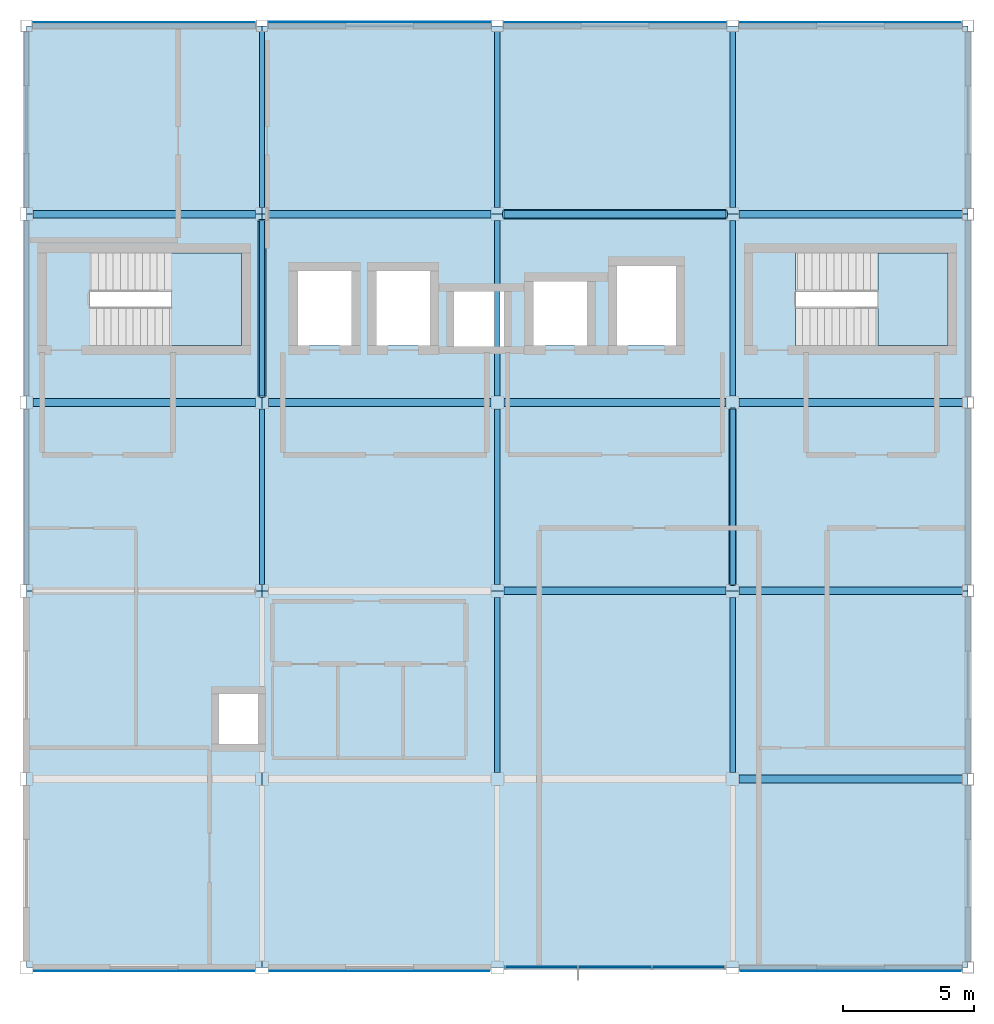
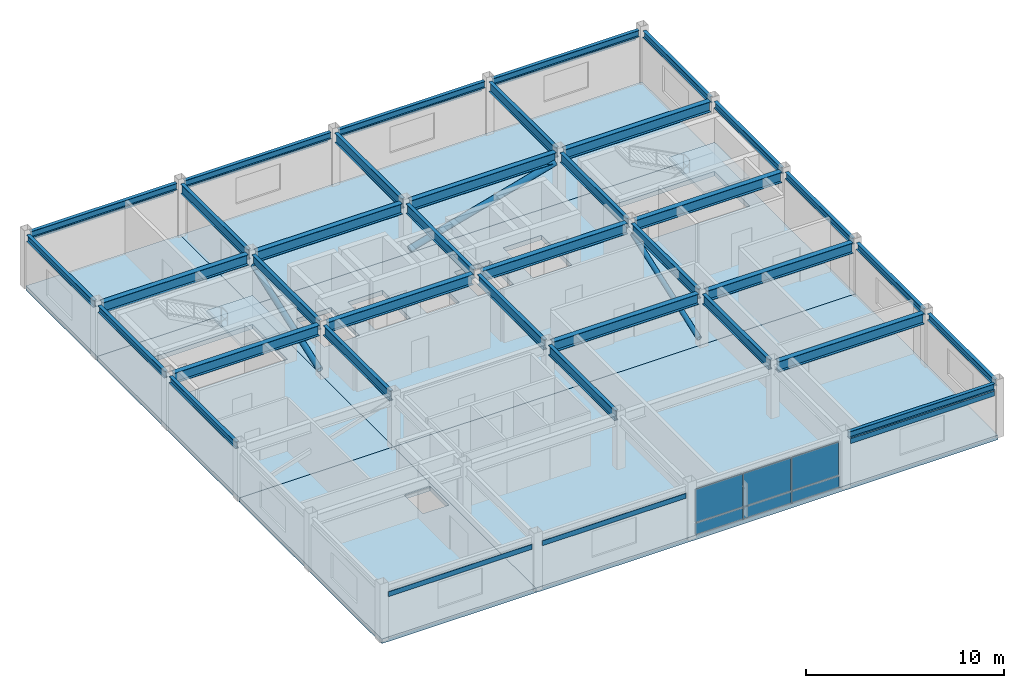
# One storey, part 3 of 7: 35 beams, 13 plates, 8 slabs, 3 members, 3 elements without a shape of their own.
"""IFC4 building model written with IfcOpenShell, lengths in metres."""

from ifc_helpers import new_model, si_unit, direction, frame, origin, origin_2d, place, context, subcontext, project, spatial, polyline, rectangle, hollow_circle, i_section, outline, extrude, material, layer, layer_set, material_profile, profile_set, type_object, element, aggregate, save


model = new_model("IFC4")

# Units and contexts
model_context = context("Model", 3, precision=1e-05, world=origin(), true_north=direction((0.0, 1.0)))
body_context = subcontext(model_context, "Body", "Model", "MODEL_VIEW")
ifc_project = project(units=[si_unit("LENGTHUNIT", "METRE"), si_unit("AREAUNIT", "SQUARE_METRE"), si_unit("VOLUMEUNIT", "CUBIC_METRE"), si_unit("PLANEANGLEUNIT", "RADIAN"), si_unit("MASSUNIT", "GRAM", prefix="KILO")], contexts=[model_context])

# Site, building, storey
site_placement = place(None, origin())
site = spatial("IfcSite", under=ifc_project, at=site_placement, CompositionType="ELEMENT")
building_placement = place(site_placement, origin())
building = spatial("IfcBuilding", under=site, at=building_placement, Name="Kazanami Central Library", CompositionType="ELEMENT")
storey_placement = place(building_placement, frame((0.0, 0.0, 27.800048828125)))
storey = spatial("IfcBuildingStorey", under=building, at=storey_placement, Name="L08", CompositionType="ELEMENT", Elevation=27.800048828125)

# Beams
ifc_material_1 = material(Name="Steel SN490B (325 MPa)", Category="steel")
ifc_material_profile_1 = material_profile(ifc_material_1, i_section(OverallWidth=0.300048828125, OverallDepth=0.64990234375, WebThickness=0.012939453125, FlangeThickness=0.02099609375, at=origin_2d()), Name="H-650x300x13x21")
ifc_profile_set_1 = profile_set([ifc_material_profile_1], Name="Steel SN490B (325 MPa)")
beam_type_1 = type_object("IfcBeamType", Name="BM-G-TR", PredefinedType="BEAM", material=ifc_profile_set_1)
beam_1_placement = place(storey_placement, frame((153.248046875, 64.800048828125, 2.989990234375), z_axis=(1.0, 0.0, 0.0), x_axis=(0.0, 1.0, 0.0)))
element("IfcBeam", 1, at=beam_1_placement, inside=storey, type_object=beam_type_1, Name="Girder G-TR L08 K/18-19", PredefinedType="BEAM", context=body_context, shape_type="SweptSolid", body=[
    extrude(i_section(OverallWidth=0.300048828125, OverallDepth=0.64990234375, WebThickness=0.012939453125, FlangeThickness=0.02099609375, at=origin_2d()), origin(), (0.0, 0.0, 1.0), 8.529052734375),
])
beam_2_placement = place(storey_placement, frame((144.248046875, 72.0, 2.989990234375), z_axis=(1.0, 0.0, 0.0), x_axis=(0.0, 1.0, 0.0)))
element("IfcBeam", 2, at=beam_2_placement, inside=storey, type_object=beam_type_1, Name="Girder G-TR L08 L/17-18", PredefinedType="BEAM", context=body_context, shape_type="SweptSolid", body=[
    extrude(i_section(OverallWidth=0.300048828125, OverallDepth=0.64990234375, WebThickness=0.012939453125, FlangeThickness=0.02099609375, at=origin_2d()), origin(), (0.0, 0.0, 1.0), 8.50390625),
])
beam_3_placement = place(storey_placement, frame((153.248046875, 72.0, 2.989990234375), z_axis=(1.0, 0.0, 0.0), x_axis=(0.0, 1.0, 0.0)))
element("IfcBeam", 3, at=beam_3_placement, inside=storey, type_object=beam_type_1, Name="Girder G-TR L08 L/18-19", PredefinedType="BEAM", context=body_context, shape_type="SweptSolid", body=[
    extrude(i_section(OverallWidth=0.300048828125, OverallDepth=0.64990234375, WebThickness=0.012939453125, FlangeThickness=0.02099609375, at=origin_2d()), origin(), (0.0, 0.0, 1.0), 8.529052734375),
])
for number, where, z_axis, x_axis, name in (
    (4, (126.248046875, 79.199951171875, 2.989990234375), (1.0, 0.0, 0.0), (0.0, 1.0, 0.0), "Girder G-TR L08 M/15-16"),
    (5, (135.248046875, 79.199951171875, 2.989990234375), (1.0, 0.0, 0.0), (0.0, 1.0, 0.0), "Girder G-TR L08 M/16-17"),
    (6, (144.248046875, 79.199951171875, 2.989990234375), (1.0, 0.0, 0.0), (0.0, 1.0, 0.0), "Girder G-TR L08 M/17-18"),
):
    element("IfcBeam", number, at=place(storey_placement, frame(where, z_axis=z_axis, x_axis=x_axis)), inside=storey, type_object=beam_type_1, Name=name, PredefinedType="BEAM", context=body_context, shape_type="SweptSolid", body=[
        extrude(i_section(OverallWidth=0.300048828125, OverallDepth=0.64990234375, WebThickness=0.012939453125, FlangeThickness=0.02099609375, at=origin_2d()), origin(), (0.0, 0.0, 1.0), 8.50390625),
    ])
beam_4_placement = place(storey_placement, frame((153.248046875, 79.199951171875, 2.989990234375), z_axis=(1.0, 0.0, 0.0), x_axis=(0.0, 1.0, 0.0)))
element("IfcBeam", 7, at=beam_4_placement, inside=storey, type_object=beam_type_1, Name="Girder G-TR L08 M/18-19", PredefinedType="BEAM", context=body_context, shape_type="SweptSolid", body=[
    extrude(i_section(OverallWidth=0.300048828125, OverallDepth=0.64990234375, WebThickness=0.012939453125, FlangeThickness=0.02099609375, at=origin_2d()), origin(), (0.0, 0.0, 1.0), 8.529052734375),
])
for number, where, z_axis, x_axis, name in (
    (8, (126.248046875, 86.39990234375, 2.989990234375), (1.0, 0.0, 0.0), (0.0, 1.0, 0.0), "Girder G-TR L08 N/15-16"),
    (9, (135.248046875, 86.39990234375, 2.989990234375), (1.0, 0.0, 0.0), (0.0, 1.0, 0.0), "Girder G-TR L08 N/16-17"),
    (10, (144.248046875, 86.39990234375, 2.989990234375), (1.0, 0.0, 0.0), (0.0, 1.0, 0.0), "Girder G-TR L08 N/17-18"),
):
    element("IfcBeam", number, at=place(storey_placement, frame(where, z_axis=z_axis, x_axis=x_axis)), inside=storey, type_object=beam_type_1, Name=name, PredefinedType="BEAM", context=body_context, shape_type="SweptSolid", body=[
        extrude(i_section(OverallWidth=0.300048828125, OverallDepth=0.64990234375, WebThickness=0.012939453125, FlangeThickness=0.02099609375, at=origin_2d()), origin(), (0.0, 0.0, 1.0), 8.50390625),
    ])
beam_5_placement = place(storey_placement, frame((153.248046875, 86.39990234375, 2.989990234375), z_axis=(1.0, 0.0, 0.0), x_axis=(0.0, 1.0, 0.0)))
element("IfcBeam", 11, at=beam_5_placement, inside=storey, type_object=beam_type_1, Name="Girder G-TR L08 N/18-19", PredefinedType="BEAM", context=body_context, shape_type="SweptSolid", body=[
    extrude(i_section(OverallWidth=0.300048828125, OverallDepth=0.64990234375, WebThickness=0.012939453125, FlangeThickness=0.02099609375, at=origin_2d()), origin(), (0.0, 0.0, 1.0), 8.529052734375),
])
ifc_material_profile_2 = material_profile(ifc_material_1, i_section(OverallWidth=0.199951171875, OverallDepth=0.60009765625, WebThickness=0.010986328125, FlangeThickness=0.01708984375, at=origin_2d()), Name="H-600x200x11x17")
ifc_profile_set_2 = profile_set([ifc_material_profile_2], Name="Steel SN490B (325 MPa)")
beam_type_2 = type_object("IfcBeamType", Name="BM-G-Y1", PredefinedType="BEAM", material=ifc_profile_set_2)
beam_6_placement = place(storey_placement, frame((135.0, 72.248046875, 3.014892578125), z_axis=(0.0, 1.0, 0.0), x_axis=(-1.0, 0.0, 0.0)))
element("IfcBeam", 12, at=beam_6_placement, inside=storey, type_object=beam_type_2, Name="Girder G-Y1 L08 16/L-M", PredefinedType="BEAM", context=body_context, shape_type="SweptSolid", body=[
    extrude(i_section(OverallWidth=0.199951171875, OverallDepth=0.60009765625, WebThickness=0.010986328125, FlangeThickness=0.01708984375, at=origin_2d()), origin(), (0.0, 0.0, 1.0), 6.703857421875),
])
beam_7_placement = place(storey_placement, frame((135.0, 79.447998046875, 3.014892578125), z_axis=(0.0, 1.0, 0.0), x_axis=(-1.0, 0.0, 0.0)))
element("IfcBeam", 13, at=beam_7_placement, inside=storey, type_object=beam_type_2, Name="Girder G-Y1 L08 16/M-N", PredefinedType="BEAM", context=body_context, shape_type="SweptSolid", body=[
    extrude(i_section(OverallWidth=0.199951171875, OverallDepth=0.60009765625, WebThickness=0.010986328125, FlangeThickness=0.01708984375, at=origin_2d()), origin(), (0.0, 0.0, 1.0), 6.7041015625),
])
beam_8_placement = place(storey_placement, frame((135.0, 86.64794921875, 3.014892578125), z_axis=(0.0, 1.0, 0.0), x_axis=(-1.0, 0.0, 0.0)))
element("IfcBeam", 14, at=beam_8_placement, inside=storey, type_object=beam_type_2, Name="Girder G-Y1 L08 16/N-O", PredefinedType="BEAM", context=body_context, shape_type="SweptSolid", body=[
    extrude(i_section(OverallWidth=0.199951171875, OverallDepth=0.60009765625, WebThickness=0.010986328125, FlangeThickness=0.01708984375, at=origin_2d()), origin(), (0.0, 0.0, 1.0), 6.72900390625),
])
for number, where, z_axis, x_axis, name in (
    (15, (144.0, 65.048095703125, 3.014892578125), (0.0, 1.0, 0.0), (-1.0, 0.0, 0.0), "Girder G-Y1 L08 17/K-L"),
    (16, (144.0, 72.248046875, 3.014892578125), (0.0, 1.0, 0.0), (-1.0, 0.0, 0.0), "Girder G-Y1 L08 17/L-M"),
):
    element("IfcBeam", number, at=place(storey_placement, frame(where, z_axis=z_axis, x_axis=x_axis)), inside=storey, type_object=beam_type_2, Name=name, PredefinedType="BEAM", context=body_context, shape_type="SweptSolid", body=[
        extrude(i_section(OverallWidth=0.199951171875, OverallDepth=0.60009765625, WebThickness=0.010986328125, FlangeThickness=0.01708984375, at=origin_2d()), origin(), (0.0, 0.0, 1.0), 6.703857421875),
    ])
beam_9_placement = place(storey_placement, frame((144.0, 79.447998046875, 3.014892578125), z_axis=(0.0, 1.0, 0.0), x_axis=(-1.0, 0.0, 0.0)))
element("IfcBeam", 17, at=beam_9_placement, inside=storey, type_object=beam_type_2, Name="Girder G-Y1 L08 17/M-N", PredefinedType="BEAM", context=body_context, shape_type="SweptSolid", body=[
    extrude(i_section(OverallWidth=0.199951171875, OverallDepth=0.60009765625, WebThickness=0.010986328125, FlangeThickness=0.01708984375, at=origin_2d()), origin(), (0.0, 0.0, 1.0), 6.7041015625),
])
beam_10_placement = place(storey_placement, frame((144.0, 86.64794921875, 3.014892578125), z_axis=(0.0, 1.0, 0.0), x_axis=(-1.0, 0.0, 0.0)))
element("IfcBeam", 18, at=beam_10_placement, inside=storey, type_object=beam_type_2, Name="Girder G-Y1 L08 17/N-O", PredefinedType="BEAM", context=body_context, shape_type="SweptSolid", body=[
    extrude(i_section(OverallWidth=0.199951171875, OverallDepth=0.60009765625, WebThickness=0.010986328125, FlangeThickness=0.01708984375, at=origin_2d()), origin(), (0.0, 0.0, 1.0), 6.72900390625),
])
for number, where, z_axis, x_axis, name in (
    (19, (153.0, 65.048095703125, 3.014892578125), (0.0, 1.0, 0.0), (-1.0, 0.0, 0.0), "Girder G-Y1 L08 18/K-L"),
    (20, (153.0, 72.248046875, 3.014892578125), (0.0, 1.0, 0.0), (-1.0, 0.0, 0.0), "Girder G-Y1 L08 18/L-M"),
):
    element("IfcBeam", number, at=place(storey_placement, frame(where, z_axis=z_axis, x_axis=x_axis)), inside=storey, type_object=beam_type_2, Name=name, PredefinedType="BEAM", context=body_context, shape_type="SweptSolid", body=[
        extrude(i_section(OverallWidth=0.199951171875, OverallDepth=0.60009765625, WebThickness=0.010986328125, FlangeThickness=0.01708984375, at=origin_2d()), origin(), (0.0, 0.0, 1.0), 6.703857421875),
    ])
beam_11_placement = place(storey_placement, frame((153.0, 79.447998046875, 3.014892578125), z_axis=(0.0, 1.0, 0.0), x_axis=(-1.0, 0.0, 0.0)))
element("IfcBeam", 21, at=beam_11_placement, inside=storey, type_object=beam_type_2, Name="Girder G-Y1 L08 18/M-N", PredefinedType="BEAM", context=body_context, shape_type="SweptSolid", body=[
    extrude(i_section(OverallWidth=0.199951171875, OverallDepth=0.60009765625, WebThickness=0.010986328125, FlangeThickness=0.01708984375, at=origin_2d()), origin(), (0.0, 0.0, 1.0), 6.7041015625),
])
beam_12_placement = place(storey_placement, frame((153.0, 86.64794921875, 3.014892578125), z_axis=(0.0, 1.0, 0.0), x_axis=(-1.0, 0.0, 0.0)))
element("IfcBeam", 22, at=beam_12_placement, inside=storey, type_object=beam_type_2, Name="Girder G-Y1 L08 18/N-O", PredefinedType="BEAM", context=body_context, shape_type="SweptSolid", body=[
    extrude(i_section(OverallWidth=0.199951171875, OverallDepth=0.60009765625, WebThickness=0.010986328125, FlangeThickness=0.01708984375, at=origin_2d()), origin(), (0.0, 0.0, 1.0), 6.72900390625),
])
ifc_material_profile_3 = material_profile(ifc_material_1, i_section(OverallWidth=0.199951171875, OverallDepth=0.39990234375, WebThickness=0.008056640625, FlangeThickness=0.012939453125, at=origin_2d()), Name="H-400x200x8x13")
ifc_profile_set_3 = profile_set([ifc_material_profile_3], Name="Steel SN490B (325 MPa)")
beam_type_3 = type_object("IfcBeamType", Name="BM-SP-3", PredefinedType="SPANDREL", material=ifc_profile_set_3)
beam_13_placement = place(storey_placement, frame((153.248046875, 57.60009765625, 3.114990234375), z_axis=(1.0, 0.0, 0.0), x_axis=(0.0, 1.0, 0.0)))
element("IfcBeam", 23, at=beam_13_placement, inside=storey, type_object=beam_type_3, Name="Girder SP-3 L08 J/18-19", PredefinedType="SPANDREL", context=body_context, shape_type="SweptSolid", body=[
    extrude(i_section(OverallWidth=0.199951171875, OverallDepth=0.39990234375, WebThickness=0.008056640625, FlangeThickness=0.012939453125, at=origin_2d()), origin(), (0.0, 0.0, 1.0), 8.529052734375),
])
for number, where, z_axis, x_axis, name in (
    (24, (126.222900390625, 93.60009765625, 3.114990234375), (1.0, 0.0, 0.0), (0.0, 1.0, 0.0), "Girder SP-3 L08 O/15-16"),
    (25, (135.222900390625, 93.60009765625, 3.114990234375), (1.0, 0.0, 0.0), (0.0, 1.0, 0.0), "Girder SP-3 L08 O/16-17"),
    (26, (144.222900390625, 93.60009765625, 3.114990234375), (1.0, 0.0, 0.0), (0.0, 1.0, 0.0), "Girder SP-3 L08 O/17-18"),
    (27, (153.222900390625, 93.60009765625, 3.114990234375), (1.0, 0.0, 0.0), (0.0, 1.0, 0.0), "Girder SP-3 L08 O/18-19"),
):
    element("IfcBeam", number, at=place(storey_placement, frame(where, z_axis=z_axis, x_axis=x_axis)), inside=storey, type_object=beam_type_3, Name=name, PredefinedType="SPANDREL", context=body_context, shape_type="SweptSolid", body=[
        extrude(i_section(OverallWidth=0.199951171875, OverallDepth=0.39990234375, WebThickness=0.008056640625, FlangeThickness=0.012939453125, at=origin_2d()), origin(), (0.0, 0.0, 1.0), 8.55419921875),
    ])
beam_14_placement = place(storey_placement, frame((126.0, 72.248046875, 3.114990234375), z_axis=(0.0, 1.0, 0.0), x_axis=(-1.0, 0.0, 0.0)))
element("IfcBeam", 28, at=beam_14_placement, inside=storey, type_object=beam_type_3, Name="Girder SP-3 L08 15/L-M", PredefinedType="SPANDREL", context=body_context, shape_type="SweptSolid", body=[
    extrude(i_section(OverallWidth=0.199951171875, OverallDepth=0.39990234375, WebThickness=0.008056640625, FlangeThickness=0.012939453125, at=origin_2d()), origin(), (0.0, 0.0, 1.0), 6.703857421875),
])
beam_15_placement = place(storey_placement, frame((126.0, 79.447998046875, 3.114990234375), z_axis=(0.0, 1.0, 0.0), x_axis=(-1.0, 0.0, 0.0)))
element("IfcBeam", 29, at=beam_15_placement, inside=storey, type_object=beam_type_3, Name="Girder SP-3 L08 15/M-N", PredefinedType="SPANDREL", context=body_context, shape_type="SweptSolid", body=[
    extrude(i_section(OverallWidth=0.199951171875, OverallDepth=0.39990234375, WebThickness=0.008056640625, FlangeThickness=0.012939453125, at=origin_2d()), origin(), (0.0, 0.0, 1.0), 6.7041015625),
])
beam_16_placement = place(storey_placement, frame((126.0, 86.64794921875, 3.114990234375), z_axis=(0.0, 1.0, 0.0), x_axis=(-1.0, 0.0, 0.0)))
element("IfcBeam", 30, at=beam_16_placement, inside=storey, type_object=beam_type_3, Name="Girder SP-3 L08 15/N-O", PredefinedType="SPANDREL", context=body_context, shape_type="SweptSolid", body=[
    extrude(i_section(OverallWidth=0.199951171875, OverallDepth=0.39990234375, WebThickness=0.008056640625, FlangeThickness=0.012939453125, at=origin_2d()), origin(), (0.0, 0.0, 1.0), 6.72900390625),
])
beam_17_placement = place(storey_placement, frame((162.0, 57.822998046875, 3.114990234375), z_axis=(0.0, 1.0, 0.0), x_axis=(-1.0, 0.0, 0.0)))
element("IfcBeam", 31, at=beam_17_placement, inside=storey, type_object=beam_type_3, Name="Girder SP-3 L08 19/J-K", PredefinedType="SPANDREL", context=body_context, shape_type="SweptSolid", body=[
    extrude(i_section(OverallWidth=0.199951171875, OverallDepth=0.39990234375, WebThickness=0.008056640625, FlangeThickness=0.012939453125, at=origin_2d()), origin(), (0.0, 0.0, 1.0), 6.75390625),
])
for number, where, z_axis, x_axis, name in (
    (32, (162.0, 65.02294921875, 3.114990234375), (0.0, 1.0, 0.0), (-1.0, 0.0, 0.0), "Girder SP-3 L08 19/K-L"),
    (33, (162.0, 72.222900390625, 3.114990234375), (0.0, 1.0, 0.0), (-1.0, 0.0, 0.0), "Girder SP-3 L08 19/L-M"),
):
    element("IfcBeam", number, at=place(storey_placement, frame(where, z_axis=z_axis, x_axis=x_axis)), inside=storey, type_object=beam_type_3, Name=name, PredefinedType="SPANDREL", context=body_context, shape_type="SweptSolid", body=[
        extrude(i_section(OverallWidth=0.199951171875, OverallDepth=0.39990234375, WebThickness=0.008056640625, FlangeThickness=0.012939453125, at=origin_2d()), origin(), (0.0, 0.0, 1.0), 6.754150390625),
    ])
for number, where, z_axis, x_axis, name in (
    (34, (162.0, 79.423095703125, 3.114990234375), (0.0, 1.0, 0.0), (-1.0, 0.0, 0.0), "Girder SP-3 L08 19/M-N"),
    (35, (162.0, 86.623046875, 3.114990234375), (0.0, 1.0, 0.0), (-1.0, 0.0, 0.0), "Girder SP-3 L08 19/N-O"),
):
    element("IfcBeam", number, at=place(storey_placement, frame(where, z_axis=z_axis, x_axis=x_axis)), inside=storey, type_object=beam_type_3, Name=name, PredefinedType="SPANDREL", context=body_context, shape_type="SweptSolid", body=[
        extrude(i_section(OverallWidth=0.199951171875, OverallDepth=0.39990234375, WebThickness=0.008056640625, FlangeThickness=0.012939453125, at=origin_2d()), origin(), (0.0, 0.0, 1.0), 6.75390625),
    ])

# Members
ifc_material_2 = material(Name="Steel STK490 (315 MPa)", Category="steel")
ifc_material_profile_4 = material_profile(ifc_material_2, hollow_circle(Radius=0.177734375, WallThickness=0.0126953125, at=origin_2d()), Name="CHS-355.6x12.7")
ifc_profile_set_4 = profile_set([ifc_material_profile_4], Name="Steel STK490 (315 MPa)")
member_type_1 = type_object("IfcMemberType", Name="MEM-BR-01", PredefinedType="BRACE", material=ifc_profile_set_4)
member_1_placement = place(storey_placement, frame((144.25, 86.39990234375, 0.25), z_axis=(0.962816536105, 0.0, 0.270156098955), x_axis=(0.0, 1.0, 0.0)))
element("IfcMember", 36, at=member_1_placement, inside=storey, type_object=member_type_1, Name="Concentric Steel Brace BR-01 L08 BF-V2B", PredefinedType="BRACE", context=body_context, shape_type="SweptSolid", body=[
    extrude(hollow_circle(Radius=0.177734375, WallThickness=0.0126953125, at=origin_2d()), origin(), (0.0, 0.0, 1.0), 8.828369140625),
])
ifc_material_profile_5 = material_profile(ifc_material_2, hollow_circle(Radius=0.1591796875, WallThickness=0.01025390625, at=origin_2d()), Name="CHS-318.5x10.3")
ifc_profile_set_5 = profile_set([ifc_material_profile_5], Name="Steel STK490 (315 MPa)")
member_type_2 = type_object("IfcMemberType", Name="MEM-BR-02", PredefinedType="BRACE", material=ifc_profile_set_5)
member_2_placement = place(storey_placement, frame((135.0, 79.449951171875, 0.25), z_axis=(0.0, 0.942090131884, 0.335359782035), x_axis=(-1.0, 0.0, 0.0)))
element("IfcMember", 37, at=member_2_placement, inside=storey, type_object=member_type_2, Name="Concentric Steel Brace BR-02 L08 BF-V2C", PredefinedType="BRACE", context=body_context, shape_type="SweptSolid", body=[
    extrude(hollow_circle(Radius=0.1591796875, WallThickness=0.01025390625, at=origin_2d()), origin(), (0.0, 0.0, 1.0), 7.11181640625),
])
ifc_material_profile_6 = material_profile(ifc_material_2, hollow_circle(Radius=0.1337890625, WallThickness=0.00927734375, at=origin_2d()), Name="CHS-267.4x9.3")
ifc_profile_set_6 = profile_set([ifc_material_profile_6], Name="Steel STK490 (315 MPa)")
member_type_3 = type_object("IfcMemberType", Name="MEM-BR-03", PredefinedType="BRACE", material=ifc_profile_set_6)
member_3_placement = place(storey_placement, frame((153.0, 72.25, 0.25), z_axis=(0.0, 0.942090131884, 0.335359782035), x_axis=(-1.0, 0.0, 0.0)))
element("IfcMember", 38, at=member_3_placement, inside=storey, type_object=member_type_3, Name="Concentric Steel Brace BR-03 L08 BF-V2D", PredefinedType="BRACE", context=body_context, shape_type="SweptSolid", body=[
    extrude(hollow_circle(Radius=0.1337890625, WallThickness=0.00927734375, at=origin_2d()), origin(), (0.0, 0.0, 1.0), 7.11181640625),
])

# Curtain wall, plates
ifc_material_3 = material(Name="Acid-Etched Low-E Laminated Glass", Category="glass")
curtain_wall_type = type_object("IfcCurtainWallType", Name="CW-8500x2915-M275", PredefinedType="USERDEFINED", material=ifc_material_3)
curtain_wall_placement = place(storey_placement, origin())
curtain_wall = element("IfcCurtainWall", 39, at=curtain_wall_placement, inside=storey, type_object=curtain_wall_type, Name="Unitised Curtain Wall CW-61 L08 S-J-16", ObjectType="UNITISED CURTAIN WALL", PredefinedType="USERDEFINED")
ifc_layer_1 = layer(ifc_material_3, 0.035888671875, Name="Acid-Etched Low-E Laminated Glass")
ifc_layer_set_1 = layer_set([ifc_layer_1], Name="Acid-Etched Low-E Laminated Glass")
plate_type_1 = type_object("IfcPlateType", Name="PLT-CW-P1", PredefinedType="CURTAIN_PANEL", material=ifc_layer_set_1)
plate_1_placement = place(storey_placement, frame((145.682861328125, 57.60009765625, 0.8125), z_axis=(0.0, 0.0, 1.0), x_axis=(1.0, 0.0, 0.0)))
plate_1 = element("IfcPlate", 40, at=plate_1_placement, type_object=plate_type_1, Name="CW-61 panel 1.2", PredefinedType="CURTAIN_PANEL", context=body_context, shape_type="SweptSolid", body=[
    extrude(rectangle(XDim=2.73583984375, YDim=0.035888671875, at=origin_2d()), origin(), (0.0, 0.0, 1.0), 2.03759765625),
])
plate_2_placement = place(storey_placement, frame((148.5, 57.60009765625, 0.8125), z_axis=(0.0, 0.0, 1.0), x_axis=(1.0, 0.0, 0.0)))
plate_2 = element("IfcPlate", 41, at=plate_2_placement, type_object=plate_type_1, Name="CW-61 panel 2.2", PredefinedType="CURTAIN_PANEL", context=body_context, shape_type="SweptSolid", body=[
    extrude(rectangle(XDim=2.768310546875, YDim=0.035888671875, at=origin_2d()), origin(), (0.0, 0.0, 1.0), 2.03759765625),
])
plate_3_placement = place(storey_placement, frame((151.317138671875, 57.60009765625, 0.8125), z_axis=(0.0, 0.0, 1.0), x_axis=(1.0, 0.0, 0.0)))
plate_3 = element("IfcPlate", 42, at=plate_3_placement, type_object=plate_type_1, Name="CW-61 panel 3.2", PredefinedType="CURTAIN_PANEL", context=body_context, shape_type="SweptSolid", body=[
    extrude(rectangle(XDim=2.73583984375, YDim=0.035888671875, at=origin_2d()), origin(), (0.0, 0.0, 1.0), 2.03759765625),
])
ifc_material_4 = material(Name="Anodised Aluminium A5052-H32", Category="aluminium")
ifc_layer_2 = layer(ifc_material_4, 0.052001953125, Name="Anodised Aluminium A5052-H32")
ifc_layer_set_2 = layer_set([ifc_layer_2], Name="Anodised Aluminium A5052-H32")
plate_type_2 = type_object("IfcPlateType", Name="PLT-CW-SP2", PredefinedType="CURTAIN_PANEL", material=ifc_layer_set_2)
plate_4_placement = place(storey_placement, frame((145.682861328125, 57.60009765625, 0.06494140625), z_axis=(0.0, 0.0, 1.0), x_axis=(1.0, 0.0, 0.0)))
plate_4 = element("IfcPlate", 43, at=plate_4_placement, type_object=plate_type_2, Name="CW-61 panel 1.1", PredefinedType="CURTAIN_PANEL", context=body_context, shape_type="SweptSolid", body=[
    extrude(rectangle(XDim=2.73583984375, YDim=0.052001953125, at=origin_2d()), origin(), (0.0, 0.0, 1.0), 0.6826171875),
])
plate_5_placement = place(storey_placement, frame((148.5, 57.60009765625, 0.06494140625), z_axis=(0.0, 0.0, 1.0), x_axis=(1.0, 0.0, 0.0)))
plate_5 = element("IfcPlate", 44, at=plate_5_placement, type_object=plate_type_2, Name="CW-61 panel 2.1", PredefinedType="CURTAIN_PANEL", context=body_context, shape_type="SweptSolid", body=[
    extrude(rectangle(XDim=2.768310546875, YDim=0.052001953125, at=origin_2d()), origin(), (0.0, 0.0, 1.0), 0.6826171875),
])
plate_6_placement = place(storey_placement, frame((151.317138671875, 57.60009765625, 0.06494140625), z_axis=(0.0, 0.0, 1.0), x_axis=(1.0, 0.0, 0.0)))
plate_6 = element("IfcPlate", 45, at=plate_6_placement, type_object=plate_type_2, Name="CW-61 panel 3.1", PredefinedType="CURTAIN_PANEL", context=body_context, shape_type="SweptSolid", body=[
    extrude(rectangle(XDim=2.73583984375, YDim=0.052001953125, at=origin_2d()), origin(), (0.0, 0.0, 1.0), 0.6826171875),
])
aggregate(curtain_wall, [plate_4, plate_1, plate_5, plate_2, plate_6, plate_3])

# Plates
ifc_layer_3 = layer(ifc_material_4, 0.010009765625, Name="Anodised Aluminium A5052-H32")
ifc_layer_set_3 = layer_set([ifc_layer_3], Name="Anodised Aluminium A5052-H32")
plate_type_3 = type_object("IfcPlateType", Name="PLT-SPN-10", PredefinedType="SHEET", material=ifc_layer_set_3)
plate_7_placement = place(storey_placement, frame((148.5, 93.735107421875, 2.60498046875), z_axis=(0.0, 0.0, 1.0), x_axis=(-1.0, 0.0, 0.0)))
element("IfcPlate", 46, at=plate_7_placement, inside=storey, type_object=plate_type_3, Name="Architectural Spandrel Sheet SPN-10 L08 N-O-16", PredefinedType="SHEET", context=body_context, shape_type="SweptSolid", body=[
    extrude(rectangle(XDim=8.449951171875, YDim=0.010009765625, at=origin_2d()), origin(), (0.0, 0.0, 1.0), 0.300048828125),
])
ifc_layer_4 = layer(ifc_material_4, 0.011962890625, Name="Anodised Aluminium A5052-H32")
ifc_layer_set_4 = layer_set([ifc_layer_4], Name="Anodised Aluminium A5052-H32")
plate_type_4 = type_object("IfcPlateType", Name="PLT-SPN-12", PredefinedType="SHEET", material=ifc_layer_set_4)
plate_8_placement = place(storey_placement, frame((157.512451171875, 57.464111328125, 2.60498046875), z_axis=(0.0, 0.0, 1.0), x_axis=(1.0, 0.0, 0.0)))
element("IfcPlate", 47, at=plate_8_placement, inside=storey, type_object=plate_type_4, Name="Architectural Spandrel Sheet SPN-12 L08 S-J-17", PredefinedType="SHEET", context=body_context, shape_type="SweptSolid", body=[
    extrude(rectangle(XDim=8.425048828125, YDim=0.011962890625, at=origin_2d()), origin(), (0.0, 0.0, 1.0), 0.300048828125),
])
plate_9_placement = place(storey_placement, frame((157.5, 93.736083984375, 2.60498046875), z_axis=(0.0, 0.0, 1.0), x_axis=(-1.0, 0.0, 0.0)))
element("IfcPlate", 48, at=plate_9_placement, inside=storey, type_object=plate_type_4, Name="Architectural Spandrel Sheet SPN-12 L08 N-O-17", PredefinedType="SHEET", context=body_context, shape_type="SweptSolid", body=[
    extrude(rectangle(XDim=8.449951171875, YDim=0.011962890625, at=origin_2d()), origin(), (0.0, 0.0, 1.0), 0.300048828125),
])
ifc_layer_5 = layer(ifc_material_4, 0.01806640625, Name="Anodised Aluminium A5052-H32")
ifc_layer_set_5 = layer_set([ifc_layer_5], Name="Anodised Aluminium A5052-H32")
plate_type_5 = type_object("IfcPlateType", Name="PLT-SPN-18", PredefinedType="SHEET", material=ifc_layer_set_5)
plate_10_placement = place(storey_placement, frame((130.5, 57.4609375, 2.60498046875), z_axis=(0.0, 0.0, 1.0), x_axis=(1.0, 0.0, 0.0)))
element("IfcPlate", 49, at=plate_10_placement, inside=storey, type_object=plate_type_5, Name="Architectural Spandrel Sheet SPN-18 L08 S-J-14", PredefinedType="SHEET", context=body_context, shape_type="SweptSolid", body=[
    extrude(rectangle(XDim=8.39990234375, YDim=0.01806640625, at=origin_2d()), origin(), (0.0, 0.0, 1.0), 0.300048828125),
])
plate_11_placement = place(storey_placement, frame((130.5, 93.739013671875, 2.60498046875), z_axis=(0.0, 0.0, 1.0), x_axis=(-1.0, 0.0, 0.0)))
element("IfcPlate", 50, at=plate_11_placement, inside=storey, type_object=plate_type_5, Name="Architectural Spandrel Sheet SPN-18 L08 N-O-14", PredefinedType="SHEET", context=body_context, shape_type="SweptSolid", body=[
    extrude(rectangle(XDim=8.449951171875, YDim=0.01806640625, at=origin_2d()), origin(), (0.0, 0.0, 1.0), 0.300048828125),
])
ifc_layer_6 = layer(ifc_material_4, 0.02001953125, Name="Anodised Aluminium A5052-H32")
ifc_layer_set_6 = layer_set([ifc_layer_6], Name="Anodised Aluminium A5052-H32")
plate_type_6 = type_object("IfcPlateType", Name="PLT-SPN-20", PredefinedType="SHEET", material=ifc_layer_set_6)
plate_12_placement = place(storey_placement, frame((139.5, 57.4599609375, 2.60498046875), z_axis=(0.0, 0.0, 1.0), x_axis=(1.0, 0.0, 0.0)))
element("IfcPlate", 51, at=plate_12_placement, inside=storey, type_object=plate_type_6, Name="Architectural Spandrel Sheet SPN-20 L08 S-J-15", PredefinedType="SHEET", context=body_context, shape_type="SweptSolid", body=[
    extrude(rectangle(XDim=8.39990234375, YDim=0.02001953125, at=origin_2d()), origin(), (0.0, 0.0, 1.0), 0.300048828125),
])
plate_13_placement = place(storey_placement, frame((139.5, 93.739990234375, 2.60498046875), z_axis=(0.0, 0.0, 1.0), x_axis=(-1.0, 0.0, 0.0)))
element("IfcPlate", 52, at=plate_13_placement, inside=storey, type_object=plate_type_6, Name="Architectural Spandrel Sheet SPN-20 L08 N-O-15", PredefinedType="SHEET", context=body_context, shape_type="SweptSolid", body=[
    extrude(rectangle(XDim=8.449951171875, YDim=0.02001953125, at=origin_2d()), origin(), (0.0, 0.0, 1.0), 0.300048828125),
])

# Slabs
ifc_material_5 = material(Name="Concrete Fc36 (36 MPa)", Category="concrete")
ifc_layer_7 = layer(ifc_material_5, 0.280029296875, Name="Concrete Fc36 (36 MPa)")
ifc_layer_set_7 = layer_set([ifc_layer_7], Name="Concrete Fc36 (36 MPa)")
slab_type_1 = type_object("IfcSlabType", Name="SLB-FLR-280", PredefinedType="FLOOR", material=ifc_layer_set_7)
slab_1_placement = place(storey_placement, frame((0.0, 0.0, -0.280029296875)))
element("IfcSlab", 53, at=slab_1_placement, inside=storey, type_object=slab_type_1, Name="Composite Floor Slab L08 V2-CROWN Zone 1", PredefinedType="FLOOR", context=body_context, shape_type="SweptSolid", body=[
    extrude(outline(polyline([(126.0, 57.60009765625), (135.0, 57.60009765625), (135.0, 72.0), (126.0, 72.0), (126.0, 57.60009765625)]), holes=[polyline([(133.35009765625, 66.14990234375), (134.85009765625, 66.14990234375), (134.85009765625, 68.050048828125), (133.35009765625, 68.050048828125), (133.35009765625, 66.14990234375)])]), origin(), (0.0, 0.0, 1.0), 0.280029296875),
])
slab_2_placement = place(storey_placement, frame((0.0, 0.0, -0.280029296875)))
element("IfcSlab", 54, at=slab_2_placement, inside=storey, type_object=slab_type_1, Name="Composite Floor Slab L08 V2-CROWN Zone 2", PredefinedType="FLOOR", context=body_context, shape_type="SweptSolid", body=[
    extrude(outline(polyline([(126.0, 72.0), (135.0, 72.0), (135.0, 86.39990234375), (126.0, 86.39990234375), (126.0, 72.0)]), holes=[polyline([(128.39990234375, 81.375), (134.22509765625, 81.375), (134.22509765625, 84.925048828125), (128.39990234375, 84.925048828125), (128.39990234375, 81.375)])]), origin(), (0.0, 0.0, 1.0), 0.280029296875),
])
slab_3_placement = place(storey_placement, frame((0.0, 0.0, -0.280029296875)))
element("IfcSlab", 55, at=slab_3_placement, inside=storey, type_object=slab_type_1, Name="Composite Floor Slab L08 V2-CROWN Zone 3", PredefinedType="FLOOR", context=body_context, shape_type="SweptSolid", body=[
    extrude(outline(polyline([(126.0, 86.39990234375), (135.0, 86.39990234375), (135.0, 93.60009765625), (126.0, 93.60009765625), (126.0, 86.39990234375)])), origin(), (0.0, 0.0, 1.0), 0.280029296875),
])
slab_4_placement = place(storey_placement, frame((0.0, 0.0, -0.280029296875)))
element("IfcSlab", 56, at=slab_4_placement, inside=storey, type_object=slab_type_1, Name="Composite Floor Slab L08 V2-CROWN Zone 4", PredefinedType="FLOOR", context=body_context, shape_type="SweptSolid", body=[
    extrude(outline(polyline([(135.0, 57.60009765625), (162.0, 57.60009765625), (162.0, 72.0), (135.0, 72.0), (135.0, 57.60009765625)])), origin(), (0.0, 0.0, 1.0), 0.280029296875),
])
slab_5_placement = place(storey_placement, frame((0.0, 0.0, -0.280029296875)))
element("IfcSlab", 57, at=slab_5_placement, inside=storey, type_object=slab_type_1, Name="Composite Floor Slab L08 V2-CROWN Zone 5", PredefinedType="FLOOR", context=body_context, shape_type="SweptSolid", body=[
    extrude(outline(polyline([(135.0, 72.0), (162.0, 72.0), (162.0, 86.39990234375), (135.0, 86.39990234375), (135.0, 72.0)]), holes=[polyline([(155.39990234375, 81.375), (161.22509765625, 81.375), (161.22509765625, 84.925048828125), (155.39990234375, 84.925048828125), (155.39990234375, 81.375)]), polyline([(136.375, 81.375), (138.425048828125, 81.375), (138.425048828125, 84.22509765625), (136.375, 84.22509765625), (136.375, 81.375)]), polyline([(139.375, 81.375), (141.425048828125, 81.375), (141.425048828125, 84.22509765625), (139.375, 84.22509765625), (139.375, 81.375)]), polyline([(145.375, 81.375), (147.425048828125, 81.375), (147.425048828125, 83.824951171875), (145.375, 83.824951171875), (145.375, 81.375)]), polyline([(148.574951171875, 81.375), (150.824951171875, 81.375), (150.824951171875, 84.425048828125), (148.574951171875, 84.425048828125), (148.574951171875, 81.375)]), polyline([(142.35009765625, 81.35009765625), (144.25, 81.35009765625), (144.25, 83.449951171875), (142.35009765625, 83.449951171875), (142.35009765625, 81.35009765625)])]), origin(), (0.0, 0.0, 1.0), 0.280029296875),
])
slab_6_placement = place(storey_placement, frame((0.0, 0.0, -0.280029296875)))
element("IfcSlab", 58, at=slab_6_placement, inside=storey, type_object=slab_type_1, Name="Composite Floor Slab L08 V2-CROWN Zone 6", PredefinedType="FLOOR", context=body_context, shape_type="SweptSolid", body=[
    extrude(outline(polyline([(135.0, 86.39990234375), (162.0, 86.39990234375), (162.0, 93.60009765625), (135.0, 93.60009765625), (135.0, 86.39990234375)])), origin(), (0.0, 0.0, 1.0), 0.280029296875),
])

# Stair, slab
stair_type = type_object("IfcStairType", Name="STR-T36", PredefinedType="HALF_TURN_STAIR", material=ifc_material_5)
stair_1_placement = place(storey_placement, origin())
stair_1 = element("IfcStair", 59, at=stair_1_placement, inside=storey, type_object=stair_type, Name="Enclosed Escape Stair ST-01 (L08)", PredefinedType="HALF_TURN_STAIR")
ifc_layer_8 = layer(ifc_material_5, 0.179931640625, Name="Concrete Fc36 (36 MPa)")
ifc_layer_set_8 = layer_set([ifc_layer_8], Name="Concrete Fc36 (36 MPa)")
slab_type_2 = type_object("IfcSlabType", Name="SLB-LND-180", PredefinedType="LANDING", material=ifc_layer_set_8)
slab_7_placement = place(storey_placement, frame((0.0, 0.0, 1.619873046875)))
slab_7 = element("IfcSlab", 60, at=slab_7_placement, type_object=slab_type_2, Name="ST-01 landing 1", PredefinedType="LANDING", context=body_context, shape_type="SweptSolid", body=[
    extrude(outline(polyline([(131.548095703125, 81.375), (134.22509765625, 81.375), (134.22509765625, 84.925048828125), (131.548095703125, 84.925048828125), (131.548095703125, 81.375)])), origin(), (0.0, 0.0, 1.0), 0.18017578125),
])
aggregate(stair_1, [slab_7])

stair_2_placement = place(storey_placement, origin())
stair_2 = element("IfcStair", 61, at=stair_2_placement, inside=storey, type_object=stair_type, Name="Enclosed Escape Stair ST-02 (L08)", PredefinedType="HALF_TURN_STAIR")
slab_8_placement = place(storey_placement, frame((0.0, 0.0, 1.619873046875)))
slab_8 = element("IfcSlab", 62, at=slab_8_placement, type_object=slab_type_2, Name="ST-02 landing 1", PredefinedType="LANDING", context=body_context, shape_type="SweptSolid", body=[
    extrude(outline(polyline([(158.548095703125, 81.375), (161.22509765625, 81.375), (161.22509765625, 84.925048828125), (158.548095703125, 84.925048828125), (158.548095703125, 81.375)])), origin(), (0.0, 0.0, 1.0), 0.18017578125),
])
aggregate(stair_2, [slab_8])

save(model, "model.ifc")
